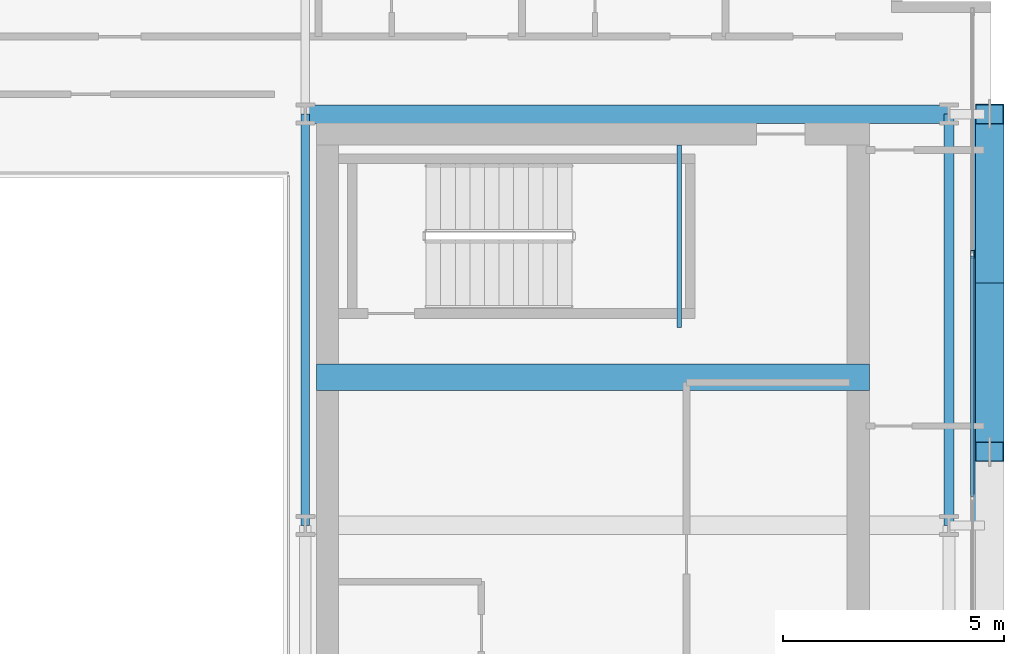
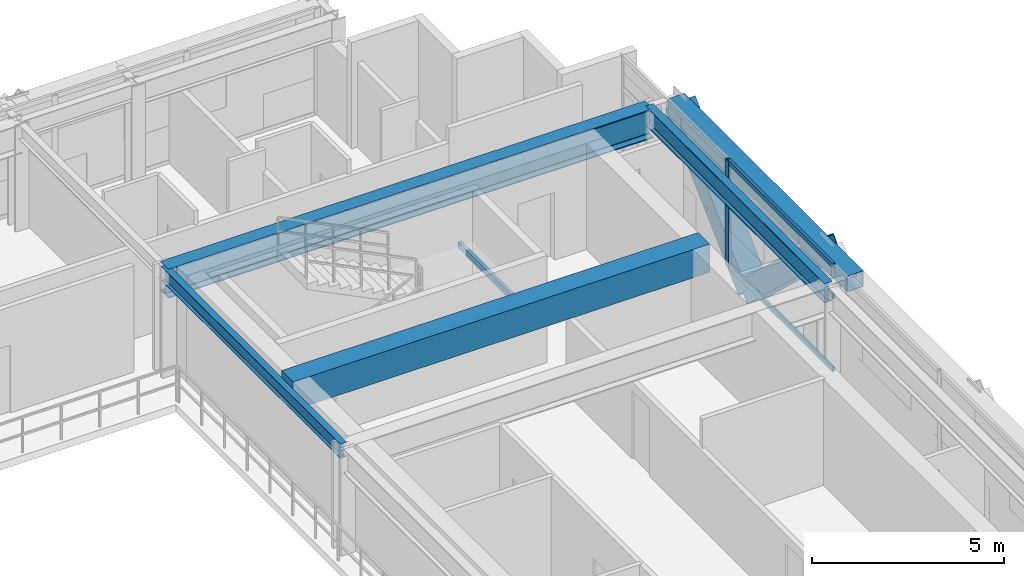
# One storey, part 14 of 32: 6 beams, 6 members, 1 element without a shape of its own.
"""IFC4 building model written with IfcOpenShell, lengths in metres."""

from ifc_helpers import new_model, si_unit, direction, frame, origin, origin_2d, place, context, subcontext, project, spatial, rectangle, hollow_rectangle, i_section, extrude, source, transform, mapped, material, layer, layer_set, material_profile, profile_set, type_object, element, aggregate, save


model = new_model("IFC4")

# Units and contexts
model_context = context("Model", 3, precision=1e-05, world=origin(), true_north=direction((0.0, 1.0)))
body_context = subcontext(model_context, "Body", "Model", "MODEL_VIEW")
ifc_project = project(units=[si_unit("LENGTHUNIT", "METRE"), si_unit("AREAUNIT", "SQUARE_METRE"), si_unit("VOLUMEUNIT", "CUBIC_METRE"), si_unit("PLANEANGLEUNIT", "RADIAN"), si_unit("MASSUNIT", "GRAM", prefix="KILO")], contexts=[model_context])

# Site, building, storey
site_placement = place(None, origin())
site = spatial("IfcSite", under=ifc_project, at=site_placement, CompositionType="ELEMENT")
building_placement = place(site_placement, origin())
building = spatial("IfcBuilding", under=site, at=building_placement, Name="Ocotamira Hotel", CompositionType="ELEMENT")
storey_placement = place(building_placement, frame((0.0, 0.0, 177.60009765625)))
storey = spatial("IfcBuildingStorey", under=building, at=storey_placement, Name="L44", CompositionType="ELEMENT", Elevation=177.60009765625)

# Beams
ifc_material_1 = material(Name="Concrete C50/60", Category="concrete")
ifc_material_profile_1 = material_profile(ifc_material_1, rectangle(XDim=0.60009765625, YDim=0.89990234375, at=origin_2d()), Name="RC600X900")
ifc_profile_set_1 = profile_set([ifc_material_profile_1], Name="Concrete C50/60")
beam_type_1 = type_object("IfcBeamType", Name="BM-LINK-RC600", PredefinedType="LINTEL", material=ifc_profile_set_1)
shared_shape_1 = source(origin(), body_context, "Body", "SweptSolid", [
    extrude(rectangle(XDim=0.60009765625, YDim=0.89990234375, at=origin_2d()), origin(), (0.0, 0.0, 1.0), 12.5),
])
beam_1_placement = place(storey_placement, frame((40.75, 31.5, 2.919921875), z_axis=(1.0, 0.0, 0.0), x_axis=(0.0, 1.0, 0.0)))
element("IfcBeam", 1, at=beam_1_placement, inside=storey, type_object=beam_type_1, Name="L44 East Core Coupling Beam", PredefinedType="LINTEL", context=body_context, shape_type="MappedRepresentation", body=[
    mapped(shared_shape_1, transform((0.0, 0.0, 0.0), scale=1.0)),
])
ifc_material_2 = material(Name="Steel ASTM A500 Grade C", Category="steel")
ifc_material_profile_2 = material_profile(ifc_material_2, hollow_rectangle(XDim=0.10009765625, YDim=0.199951171875, WallThickness=0.008056640625, at=origin_2d()), Name="HSS200X100X8")
ifc_profile_set_2 = profile_set([ifc_material_profile_2], Name="Steel ASTM A500 Grade C")
beam_type_2 = type_object("IfcBeamType", Name="BM-STLDG-HSS200", PredefinedType="BEAM", material=ifc_profile_set_2)
shared_shape_2 = source(origin(), body_context, "Body", "SweptSolid", [
    extrude(hollow_rectangle(XDim=0.10009765625, YDim=0.199951171875, WallThickness=0.008056640625, at=origin_2d()), origin(), (0.0, 0.0, 1.0), 4.1201171875),
])
beam_2_placement = place(storey_placement, frame((48.949951171875, 32.6298828125, 1.5), z_axis=(0.0, 1.0, 0.0), x_axis=(-1.0, 0.0, 0.0)))
element("IfcBeam", 2, at=beam_2_placement, inside=storey, type_object=beam_type_2, Name="L44 Stair ST-4 Landing Bearer 1", PredefinedType="BEAM", context=body_context, shape_type="MappedRepresentation", body=[
    mapped(shared_shape_2, transform((0.0, 0.0, 0.0), scale=1.0)),
])
ifc_material_3 = material(Name="Steel ASTM A992 Grade 50", Category="steel")
ifc_material_profile_3 = material_profile(ifc_material_3, i_section(OverallWidth=0.41796875, OverallDepth=0.927001953125, WebThickness=0.019287109375, FlangeThickness=0.031982421875, FilletRadius=0.02392578125, at=origin_2d()), Name="W36X231")
ifc_profile_set_3 = profile_set([ifc_material_profile_3], Name="Steel ASTM A992 Grade 50")
beam_type_3 = type_object("IfcBeamType", Name="BM-GIRD-W36X231", PredefinedType="BEAM", material=ifc_profile_set_3)
shared_shape_3 = source(origin(), body_context, "Body", "SweptSolid", [
    extrude(i_section(OverallWidth=0.41796875, OverallDepth=0.927001953125, WebThickness=0.019287109375, FlangeThickness=0.031982421875, FilletRadius=0.02392578125, at=origin_2d()), origin(), (0.0, 0.0, 1.0), 14.550048828125),
])
beam_3_placement = place(storey_placement, frame((40.5, 37.449951171875, 2.906494140625), z_axis=(1.0, 0.0, 0.0), x_axis=(0.0, 1.0, 0.0)))
element("IfcBeam", 3, at=beam_3_placement, inside=storey, type_object=beam_type_3, Name="L44 Girder Y37.45 X40.5-55.05", PredefinedType="BEAM", context=body_context, shape_type="MappedRepresentation", body=[
    mapped(shared_shape_3, transform((0.0, 0.0, 0.0), scale=1.0)),
])
ifc_material_profile_4 = material_profile(ifc_material_3, i_section(OverallWidth=0.22998046875, OverallDepth=0.616943359375, WebThickness=0.01318359375, FlangeThickness=0.022216796875, FilletRadius=0.012939453125, at=origin_2d()), Name="W24X94")
ifc_profile_set_4 = profile_set([ifc_material_profile_4], Name="Steel ASTM A992 Grade 50")
beam_type_4 = type_object("IfcBeamType", Name="BM-PRIM-W24X94", PredefinedType="BEAM", material=ifc_profile_set_4)
shared_shape_4 = source(origin(), body_context, "Body", "SweptSolid", [
    extrude(i_section(OverallWidth=0.22998046875, OverallDepth=0.616943359375, WebThickness=0.01318359375, FlangeThickness=0.022216796875, FilletRadius=0.012939453125, at=origin_2d()), origin(), (0.0, 0.0, 1.0), 9.300048828125),
])
beam_4_placement = place(storey_placement, frame((55.050048828125, 28.14990234375, 3.0615234375), z_axis=(0.0, 1.0, 0.0), x_axis=(-1.0, 0.0, 0.0)))
element("IfcBeam", 4, at=beam_4_placement, inside=storey, type_object=beam_type_4, Name="L44 Beam X55.05 Y28.15-37.45", PredefinedType="BEAM", context=body_context, shape_type="MappedRepresentation", body=[
    mapped(shared_shape_4, transform((0.0, 0.0, 0.0), scale=1.0)),
])
ifc_material_profile_5 = material_profile(ifc_material_3, i_section(OverallWidth=0.18994140625, OverallDepth=0.45703125, WebThickness=0.009033203125, FlangeThickness=0.014404296875, FilletRadius=0.010009765625, at=origin_2d()), Name="W18X50")
ifc_profile_set_5 = profile_set([ifc_material_profile_5], Name="Steel ASTM A992 Grade 50")
beam_type_5 = type_object("IfcBeamType", Name="BM-SEC-W18X50", PredefinedType="JOIST", material=ifc_profile_set_5)
shared_shape_5 = source(origin(), body_context, "Body", "SweptSolid", [
    extrude(i_section(OverallWidth=0.18994140625, OverallDepth=0.45703125, WebThickness=0.009033203125, FlangeThickness=0.014404296875, FilletRadius=0.010009765625, at=origin_2d()), origin(), (0.0, 0.0, 1.0), 9.300048828125),
])
beam_5_placement = place(storey_placement, frame((40.5, 28.14990234375, 3.141357421875), z_axis=(0.0, 1.0, 0.0), x_axis=(-1.0, 0.0, 0.0)))
element("IfcBeam", 5, at=beam_5_placement, inside=storey, type_object=beam_type_5, Name="L44 Beam X40.5 Y28.15-37.45", PredefinedType="JOIST", context=body_context, shape_type="MappedRepresentation", body=[
    mapped(shared_shape_5, transform((0.0, 0.0, 0.0), scale=1.0)),
])
ifc_material_profile_6 = material_profile(ifc_material_2, hollow_rectangle(XDim=0.5, YDim=0.5, WallThickness=0.02001953125, at=origin_2d()), Name="HSS500X500X20")
ifc_profile_set_6 = profile_set([ifc_material_profile_6], Name="Steel ASTM A500 Grade C")
beam_type_6 = type_object("IfcBeamType", Name="BM-SPAN-HSS500", PredefinedType="USERDEFINED", material=ifc_profile_set_6)
shared_shape_6 = source(origin(), body_context, "Body", "SweptSolid", [
    extrude(hollow_rectangle(XDim=0.5, YDim=0.5, WallThickness=0.02001953125, at=origin_2d()), origin(), (0.0, 0.0, 1.0), 9.300048828125),
])
beam_6_placement = place(storey_placement, frame((55.85009765625, 28.14990234375, 3.119873046875), z_axis=(0.0, 1.0, 0.0), x_axis=(-1.0, 0.0, 0.0)))
element("IfcBeam", 6, at=beam_6_placement, inside=storey, type_object=beam_type_6, Name="L44 Edge Spandrel E Y28.15-37.45", ObjectType="SPANDREL", PredefinedType="USERDEFINED", context=body_context, shape_type="MappedRepresentation", body=[
    mapped(shared_shape_6, transform((0.0, 0.0, 0.0), scale=1.0)),
])

# Members
ifc_material_4 = material(Name="Pale-metal coated steel ASTM A913 Grade 65", Category="steel")
ifc_material_profile_7 = material_profile(ifc_material_4, hollow_rectangle(XDim=0.64990234375, YDim=0.64990234375, WallThickness=0.02197265625, at=origin_2d()), Name="BOX650X650X22")
ifc_profile_set_7 = profile_set([ifc_material_profile_7], Name="Pale-metal coated steel ASTM A913 Grade 65")
member_type_1 = type_object("IfcMemberType", Name="MEM-EXO-BOX650", PredefinedType="BRACE", material=ifc_profile_set_7)
shared_shape_7 = source(origin(), body_context, "Body", "SweptSolid", [
    extrude(hollow_rectangle(XDim=0.64990234375, YDim=0.64990234375, WallThickness=0.02197265625, at=origin_2d()), origin(), (0.0, 0.0, 1.0), 5.24658203125),
])
for number, where, z_axis, x_axis, name in (
    (7, (55.969970703125, 33.63330078125, -0.47998046875), (0.0, -0.72746596067, 0.686143772154), (1.0, 0.0, 0.0), "L44 Exoskeleton Diagrid E2.1"),
    (8, (55.969970703125, 33.63330078125, -0.47998046875), (0.0, 0.72746596067, 0.686143772154), (-1.0, 0.0, 0.0), "L44 Exoskeleton Diagrid E2.2"),
):
    element("IfcMember", number, at=place(storey_placement, frame(where, z_axis=z_axis, x_axis=x_axis)), inside=storey, type_object=member_type_1, Name=name, PredefinedType="BRACE", context=body_context, shape_type="MappedRepresentation", body=[
        mapped(shared_shape_7, transform((0.0, 0.0, 0.0), scale=1.0)),
    ])

# Curtain wall, members
ifc_material_5 = material(Name="Anodised pale-metal aluminium and solar glass", Category="aluminium")
ifc_layer = layer(ifc_material_5, 0.199951171875)
ifc_layer_set = layer_set([ifc_layer], Name="Anodised pale-metal aluminium and solar glass")
curtain_wall_type = type_object("IfcCurtainWallType", Name="CW-SYS4-Z3", PredefinedType="NOTDEFINED", material=ifc_layer_set)
curtain_wall_placement = place(storey_placement, origin())
curtain_wall = element("IfcCurtainWall", 9, at=curtain_wall_placement, inside=storey, type_object=curtain_wall_type, Name="L44 Curtain Wall CW-4 CW-L44-E", PredefinedType="NOTDEFINED")
ifc_material_6 = material(Name="Anodised pale-metal aluminium 6063-T6", Category="aluminium")
ifc_material_profile_8 = material_profile(ifc_material_6, hollow_rectangle(XDim=0.074951171875, YDim=0.14990234375, WallThickness=0.006103515625, at=origin_2d()), Name="HSS150X75X6")
ifc_profile_set_8 = profile_set([ifc_material_profile_8], Name="Anodised pale-metal aluminium 6063-T6")
member_type_2 = type_object("IfcMemberType", Name="CWT-150X75", PredefinedType="USERDEFINED", material=ifc_profile_set_8)
shared_shape_8 = source(origin(), body_context, "Body", "SweptSolid", [
    extrude(hollow_rectangle(XDim=0.074951171875, YDim=0.14990234375, WallThickness=0.006103515625, at=origin_2d()), origin(), (0.0, 0.0, 1.0), 5.43994140625),
])
member_1_placement = place(storey_placement, frame((55.580078125, 28.800048828125, 0.037353515625), z_axis=(0.0, 1.0, 0.0), x_axis=(-1.0, 0.0, 0.0)))
member_1 = element("IfcMember", 10, at=member_1_placement, type_object=member_type_2, Name="CW-4 transom 4.1", ObjectType="TRANSOM", PredefinedType="USERDEFINED", context=body_context, shape_type="MappedRepresentation", body=[
    mapped(shared_shape_8, transform((0.0, 0.0, 0.0), scale=1.0)),
])
member_2_placement = place(storey_placement, frame((55.580078125, 28.800048828125, 2.349853515625), z_axis=(0.0, 1.0, 0.0), x_axis=(-1.0, 0.0, 0.0)))
member_2 = element("IfcMember", 11, at=member_2_placement, type_object=member_type_2, Name="CW-4 transom 4.2", ObjectType="TRANSOM", PredefinedType="USERDEFINED", context=body_context, shape_type="MappedRepresentation", body=[
    mapped(shared_shape_8, transform((0.0, 0.0, 0.0), scale=1.0)),
])
member_3_placement = place(storey_placement, frame((55.580078125, 28.800048828125, 3.33251953125), z_axis=(0.0, 1.0, 0.0), x_axis=(-1.0, 0.0, 0.0)))
member_3 = element("IfcMember", 12, at=member_3_placement, type_object=member_type_2, Name="CW-4 transom 4.3", ObjectType="TRANSOM", PredefinedType="USERDEFINED", context=body_context, shape_type="MappedRepresentation", body=[
    mapped(shared_shape_8, transform((0.0, 0.0, 0.0), scale=1.0)),
])
ifc_material_profile_9 = material_profile(ifc_material_6, hollow_rectangle(XDim=0.080078125, YDim=0.179931640625, WallThickness=0.006103515625, at=origin_2d()), Name="HSS180X80X6")
ifc_profile_set_9 = profile_set([ifc_material_profile_9], Name="Anodised pale-metal aluminium 6063-T6")
member_type_3 = type_object("IfcMemberType", Name="CWM-180X75", PredefinedType="MULLION", material=ifc_profile_set_9)
shared_shape_9 = source(origin(), body_context, "Body", "SweptSolid", [
    extrude(hollow_rectangle(XDim=0.080078125, YDim=0.179931640625, WallThickness=0.006103515625, at=origin_2d()), origin(), (0.0, 0.0, 1.0), 3.369873046875),
])
member_4_placement = place(storey_placement, frame((55.580078125, 34.280029296875, 0.0), z_axis=(0.0, 0.0, 1.0), x_axis=(-1.0, 0.0, 0.0)))
member_4 = element("IfcMember", 13, at=member_4_placement, type_object=member_type_3, Name="CW-4 mullion 5", PredefinedType="MULLION", context=body_context, shape_type="MappedRepresentation", body=[
    mapped(shared_shape_9, transform((0.0, 0.0, 0.0), scale=1.0)),
])
aggregate(curtain_wall, [member_4, member_1, member_2, member_3])

save(model, "model.ifc")
